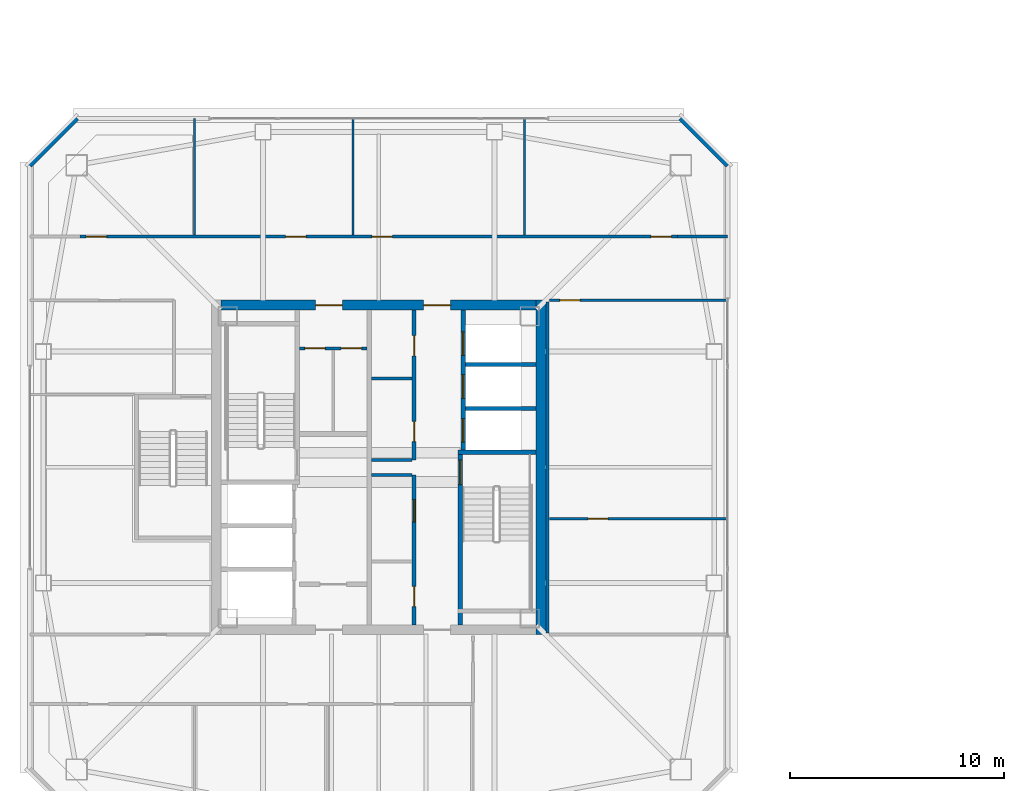
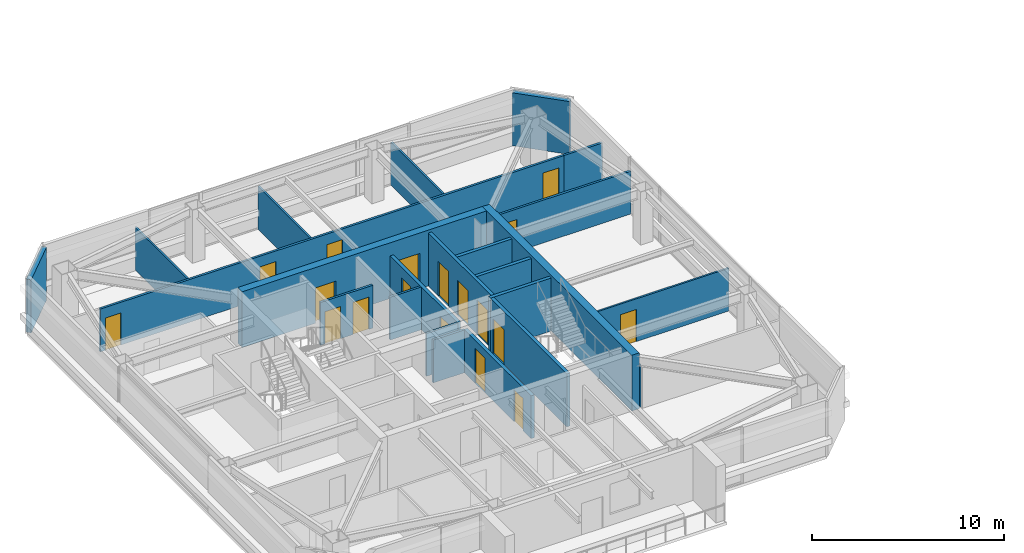
# One storey, part 30 of 39: 23 walls, 18 doors, 18 openings.
"""IFC4 building model written with IfcOpenShell, lengths in metres."""

import ifcopenshell
import ifcopenshell.guid

model = None  # the IFC model being written
_history = None  # IfcOwnerHistory: only IFC2X3 demands one
_inside = {}  # id of a spatial element -> (the spatial element, [elements in it])
_under = {}  # id of a project, library or spatial element -> (it, [spatial elements below it])
_declared = {}  # id of a project -> (the project, [libraries it declares])
_typed = {}  # id of a type object -> (the type object, [elements of that type])
_made_of = {}  # id of a material, layer set ... -> (it, [elements and type objects made of it])


def new_model(schema):
    """Start an empty IFC model of exactly this schema.

    Asked for "IFC4X3", IfcOpenShell would pick the latest addendum, in which some entities
    have other attributes; the version numbers below select the first issue.
    IFC2X3 requires an IfcOwnerHistory on every rooted entity: one is made here for all.
    """
    global model, _history
    if schema == "IFC4X3":
        model = ifcopenshell.file(schema_version=(4, 3, 0, 0))
    else:
        model = ifcopenshell.file(schema=schema)
    _inside.clear()
    _under.clear()
    _declared.clear()
    _typed.clear()
    _made_of.clear()
    _history = None
    if model.schema == "IFC2X3":
        org = make("IfcOrganization", Name="unknown")
        user = make(
            "IfcPersonAndOrganization",
            ThePerson=make("IfcPerson", FamilyName="unknown"),
            TheOrganization=org,
        )
        app = make(
            "IfcApplication",
            ApplicationDeveloper=org,
            Version="unknown",
            ApplicationFullName="unknown",
            ApplicationIdentifier="unknown",
        )
        _history = make(
            "IfcOwnerHistory",
            OwningUser=user,
            OwningApplication=app,
            ChangeAction="ADDED",
            CreationDate=0,
        )
    return model


def make(cls, **values):
    """One entity of the class cls with the attributes given. An attribute that is None is left unset."""
    return model.create_entity(
        cls, **{name: value for name, value in values.items() if value is not None}
    )


def rooted(cls, **values):
    """An entity with a GlobalId (a new one), such as an element, a storey or a relation."""
    return make(cls, GlobalId=ifcopenshell.guid.new(), OwnerHistory=_history, **values)


def si_unit(unit_type, name, prefix=None):
    """IfcSIUnit, for example si_unit("LENGTHUNIT", "METRE", prefix="MILLI")."""
    return make("IfcSIUnit", UnitType=unit_type, Prefix=prefix, Name=name)


def assignment(units):
    """IfcUnitAssignment: the units of a project."""
    return None if units is None else make("IfcUnitAssignment", Units=units)


def point(xyz):
    """IfcCartesianPoint."""
    return None if xyz is None else make("IfcCartesianPoint", Coordinates=xyz)


def direction(xyz):
    """IfcDirection."""
    return None if xyz is None else make("IfcDirection", DirectionRatios=xyz)


def frame(location, z_axis=None, x_axis=None):
    """IfcAxis2Placement3D, a coordinate frame: its origin and axes. An axis left out is left unset."""
    return make(
        "IfcAxis2Placement3D",
        Location=point(location),
        Axis=direction(z_axis),
        RefDirection=direction(x_axis),
    )


def frame_2d(location, x_axis=None):
    """IfcAxis2Placement2D, a coordinate frame in the plane: its origin and x axis."""
    return make(
        "IfcAxis2Placement2D", Location=point(location), RefDirection=direction(x_axis)
    )


def origin():
    """The frame at (0, 0, 0) with its axes left unset."""
    return frame((0.0, 0.0, 0.0))


def place(relative_to, where):
    """IfcLocalPlacement: puts the frame where relative to a parent placement (None: the world)."""
    return make(
        "IfcLocalPlacement", PlacementRelTo=relative_to, RelativePlacement=where
    )


def context(
    kind, dimensions, precision=None, world=None, true_north=None, identifier=None
):
    """IfcGeometricRepresentationContext, for example the 3D "Model" context."""
    return make(
        "IfcGeometricRepresentationContext",
        ContextIdentifier=identifier,
        ContextType=kind,
        CoordinateSpaceDimension=dimensions,
        Precision=precision,
        WorldCoordinateSystem=world,
        TrueNorth=true_north,
    )


def subcontext(parent, identifier, kind, view, scale=None):
    """IfcGeometricRepresentationSubContext, for example "Body" below "Model"."""
    return make(
        "IfcGeometricRepresentationSubContext",
        ContextIdentifier=identifier,
        ContextType=kind,
        ParentContext=parent,
        TargetScale=scale,
        TargetView=view,
    )


def project(units=None, contexts=None):
    """IfcProject with its units and contexts."""
    return rooted(
        "IfcProject",
        Name="project",
        RepresentationContexts=contexts,
        UnitsInContext=assignment(units),
    )


def spatial(cls, under=None, at=None, **own):
    """A site, building, storey or space (cls), placed at a placement, below another one or the project."""
    s = rooted(cls, ObjectPlacement=at, **own)
    if under is not None:
        _under.setdefault(under.id(), (under, []))[1].append(s)
    return s


def profile(cls, at=None, kind="AREA", **sizes):
    """A parametric profile (cls). Its sizes go by their IFC names, for example OverallWidth=200.0."""
    return make(cls, ProfileType=kind, Position=at, **sizes)


def rectangle(**sizes):
    """IfcRectangleProfileDef."""
    return profile("IfcRectangleProfileDef", **sizes)


def extrude(swept, where, along, depth):
    """IfcExtrudedAreaSolid: the profile swept, set in the frame where, extruded along a direction by depth."""
    return make(
        "IfcExtrudedAreaSolid",
        SweptArea=swept,
        Position=where,
        ExtrudedDirection=direction(along),
        Depth=depth,
    )


def shape(context_of_items, identifier, shape_type, items):
    """IfcShapeRepresentation: the items that make up one representation, for example the "Body"."""
    return make(
        "IfcShapeRepresentation",
        ContextOfItems=context_of_items,
        RepresentationIdentifier=identifier,
        RepresentationType=shape_type,
        Items=items,
    )


def material(Name=None, Category=None):
    """IfcMaterial."""
    return make("IfcMaterial", Name=Name, Category=Category)


def layer(
    of_material, thickness, ventilated=None, Name=None, Category=None, Priority=None
):
    """IfcMaterialLayer: one layer of a wall or slab, of a material (None: an air gap)."""
    return make(
        "IfcMaterialLayer",
        Material=of_material,
        LayerThickness=thickness,
        IsVentilated=ventilated,
        Name=Name,
        Category=Category,
        Priority=Priority,
    )


def layer_set(layers, Name=None):
    """IfcMaterialLayerSet."""
    return make("IfcMaterialLayerSet", MaterialLayers=layers, LayerSetName=Name)


def made_of(thing, what):
    """Note that an element or type object is made of a material, layer set ...; save() writes the relation."""
    if what is not None:
        _made_of.setdefault(what.id(), (what, []))[1].append(thing)
    return thing


def type_object(cls, material=None, **own):
    """A type object (cls), such as IfcWallType, which elements share."""
    return made_of(rooted(cls, **own), material)


def element(
    cls,
    number,
    at=None,
    inside=None,
    cuts=None,
    type_object=None,
    material=None,
    context=None,
    identifier="Body",
    shape_type=None,
    held_by="IfcProductDefinitionShape",
    body=None,
    shapes=None,
    **own,
):
    """One element of the class cls, such as IfcWall. Its Tag is "e" and its number.

    at: its placement. inside: the storey or other place that contains it. cuts: it is an
    opening in that element (IfcRelVoidsElement). A single representation is given by context,
    identifier, shape_type and body (its items); several are given by shapes. held_by: the class
    of the entity that holds the representations. save() writes the other relations.
    """
    e = rooted(cls, Tag="e%d" % number, ObjectPlacement=at, **own)
    if body is not None:
        shapes = [shape(context, identifier, shape_type, body)]
    if shapes is not None:
        e.Representation = make(held_by, Representations=shapes)
    if inside is not None:
        _inside.setdefault(inside.id(), (inside, []))[1].append(e)
    if cuts is not None:
        rooted(
            "IfcRelVoidsElement", RelatingBuildingElement=cuts, RelatedOpeningElement=e
        )
    if type_object is not None:
        _typed.setdefault(type_object.id(), (type_object, []))[1].append(e)
    return made_of(e, material)


def fill(opening, filler):
    """IfcRelFillsElement: the door or window that sits in an opening."""
    return rooted(
        "IfcRelFillsElement",
        RelatingOpeningElement=opening,
        RelatedBuildingElement=filler,
    )


def aggregate(whole, parts):
    """IfcRelAggregates: a whole, such as a stair, and the parts it consists of."""
    return rooted("IfcRelAggregates", RelatingObject=whole, RelatedObjects=parts)


def save(model, path):
    """Write the relations noted so far, then the file.

    IfcRelAggregates (storeys below a building ...), IfcRelContainedInSpatialStructure (elements
    in a storey), IfcRelDefinesByType, IfcRelAssociatesMaterial and IfcRelDeclares: one each for
    every whole, place, type object, material and project.
    """
    for whole, parts in _under.values():
        aggregate(whole, parts)
    for where, things in _inside.values():
        rooted(
            "IfcRelContainedInSpatialStructure",
            RelatedElements=things,
            RelatingStructure=where,
        )
    for kind, things in _typed.values():
        rooted("IfcRelDefinesByType", RelatedObjects=things, RelatingType=kind)
    for what, things in _made_of.values():
        rooted("IfcRelAssociatesMaterial", RelatedObjects=things, RelatingMaterial=what)
    for by, libraries in _declared.values():
        rooted("IfcRelDeclares", RelatingContext=by, RelatedDefinitions=libraries)
    model.write(path)


model = new_model("IFC4")

# Units and contexts
model_context = context("Model", 3, precision=1e-05, world=origin(), true_north=direction((0.0, 1.0)))
body_context = subcontext(model_context, "Body", "Model", "MODEL_VIEW")
ifc_project = project(units=[si_unit("LENGTHUNIT", "METRE"), si_unit("AREAUNIT", "SQUARE_METRE"), si_unit("VOLUMEUNIT", "CUBIC_METRE"), si_unit("PLANEANGLEUNIT", "RADIAN"), si_unit("MASSUNIT", "GRAM", prefix="KILO")], contexts=[model_context])

# Site, building, storey
site_placement = place(None, origin())
site = spatial("IfcSite", under=ifc_project, at=site_placement, CompositionType="ELEMENT")
building_placement = place(site_placement, origin())
building = spatial("IfcBuilding", under=site, at=building_placement, Name="Tashvorn Skyway Center", CompositionType="ELEMENT")
storey_placement = place(building_placement, frame((0.0, 0.0, 225.5)))
storey = spatial("IfcBuildingStorey", under=building, at=storey_placement, Name="L61", CompositionType="ELEMENT", Elevation=225.5)

# Wall
ifc_material_1 = material(Name="Concrete C50/60", Category="concrete")
ifc_layer_1 = layer(ifc_material_1, 0.449951171875)
ifc_layer_set_1 = layer_set([ifc_layer_1], Name="Concrete C50/60")
wall_type_1 = type_object("IfcWallType", Name="WALL-CORE-450", PredefinedType="SHEAR", material=ifc_layer_set_1)
wall_1_placement = place(storey_placement, frame((49.574951171875, 39.800048828125, 0.0), z_axis=(0.0, 0.0, 1.0), x_axis=(0.0, -1.0, 0.0)))
element("IfcWall", 1, at=wall_1_placement, inside=storey, type_object=wall_type_1, Name="Tower 1 L61 East Core Shear Wall", PredefinedType="SHEAR", context=body_context, shape_type="SweptSolid", body=[
    extrude(rectangle(XDim=15.60009765625, YDim=0.449951171875, at=frame_2d((7.800048828125, 0.0))), origin(), (0.0, 0.0, 1.0), 3.550048828125),
])

# Wall, openings, doors
wall_2_placement = place(storey_placement, frame((34.64990234375, 39.574951171875, 0.0), z_axis=(0.0, 0.0, 1.0), x_axis=(1.0, 0.0, 0.0)))
wall_2 = element("IfcWall", 2, at=wall_2_placement, inside=storey, type_object=wall_type_1, Name="Tower 1 L61 North Core Shear Wall", PredefinedType="SHEAR", context=body_context, shape_type="SweptSolid", body=[
    extrude(rectangle(XDim=14.7001953125, YDim=0.449951171875, at=frame_2d((7.35009765625, 0.0))), origin(), (0.0, 0.0, 1.0), 3.550048828125),
])
opening_1_placement = place(wall_2_placement, frame((4.39990234375, 0.0, 0.0)))
opening_1 = element("IfcOpeningElement", 3, at=opening_1_placement, cuts=wall_2, Name="Opening D-FFL-1250", PredefinedType="OPENING", context=body_context, shape_type="SweptSolid", body=[
    extrude(rectangle(XDim=1.25, YDim=2.25, at=frame_2d((0.625, 1.125))), frame((0.0, 0.23486328125, 0.0), z_axis=(0.0, -1.0, 0.0), x_axis=(1.0, 0.0, 0.0)), (0.0, 0.0, 1.0), 0.469970703125),
])
opening_2_placement = place(wall_2_placement, frame((9.449951171875, 0.0, 0.0)))
opening_2 = element("IfcOpeningElement", 4, at=opening_2_placement, cuts=wall_2, Name="Opening D-FFL-1250", PredefinedType="OPENING", context=body_context, shape_type="SweptSolid", body=[
    extrude(rectangle(XDim=1.25, YDim=2.25, at=frame_2d((0.625, 1.125))), frame((0.0, 0.23486328125, 0.0), z_axis=(0.0, -1.0, 0.0), x_axis=(1.0, 0.0, 0.0)), (0.0, 0.0, 1.0), 0.469970703125),
])
ifc_material_2 = material(Name="Hollow galvanized steel fire door assembly", Category="steel")
door_type_1 = type_object("IfcDoorType", Name="DOOR-FFL-1250", OperationType="NOTDEFINED", PredefinedType="DOOR", material=ifc_material_2)
door_1_placement = place(opening_1_placement, origin())
door_1 = element("IfcDoor", 5, at=door_1_placement, inside=storey, type_object=door_type_1, Name="Tower 1 L61 Core North Service Lobby Door", OperationType="SINGLE_SWING_LEFT", OverallHeight=2.25, OverallWidth=1.25, PredefinedType="DOOR", context=body_context, shape_type="SweptSolid", body=[
    extrude(rectangle(XDim=1.25, YDim=2.25, at=frame_2d((0.625, 1.125))), frame((0.0, 0.02490234375, 0.0), z_axis=(0.0, -1.0, 0.0), x_axis=(1.0, 0.0, 0.0)), (0.0, 0.0, 1.0), 0.050048828125),
])
fill(opening_1, door_1)
door_2_placement = place(opening_2_placement, origin())
door_2 = element("IfcDoor", 6, at=door_2_placement, inside=storey, type_object=door_type_1, Name="Tower 1 L61 Core North Lift Lobby Door", OperationType="SINGLE_SWING_RIGHT", OverallHeight=2.25, OverallWidth=1.25, PredefinedType="DOOR", context=body_context, shape_type="SweptSolid", body=[
    extrude(rectangle(XDim=1.25, YDim=2.25, at=frame_2d((0.625, 1.125))), frame((0.0, 0.02490234375, 0.0), z_axis=(0.0, -1.0, 0.0), x_axis=(1.0, 0.0, 0.0)), (0.0, 0.0, 1.0), 0.050048828125),
])
fill(opening_2, door_2)

# Walls
ifc_material_3 = material(Name="Precast concrete C40/50", Category="concrete")
ifc_layer_2 = layer(ifc_material_3, 0.280029296875)
ifc_layer_set_2 = layer_set([ifc_layer_2], Name="Precast concrete C40/50")
wall_type_2 = type_object("IfcWallType", Name="WALL-EXT-280", PredefinedType="SOLIDWALL", material=ifc_layer_set_2)
for number, where, z_axis, x_axis, name in (
    (7, (25.699951171875, 46.10009765625, 0.0), (0.0, 0.0, 1.0), (0.707106781187, 0.707106781187, 0.0), "Tower 1 L61 NW Precast Chamfer Wall"),
    (8, (56.10009765625, 48.300048828125, 0.0), (0.0, 0.0, 1.0), (0.707106781187, -0.707106781187, 0.0), "Tower 1 L61 NE Precast Chamfer Wall"),
):
    element("IfcWall", number, at=place(storey_placement, frame(where, z_axis=z_axis, x_axis=x_axis)), inside=storey, type_object=wall_type_2, Name=name, PredefinedType="SOLIDWALL", context=body_context, shape_type="SweptSolid", body=[
        extrude(rectangle(XDim=3.111083984375, YDim=0.280029296875, at=frame_2d((1.5556640625, 0.0))), origin(), (0.0, 0.0, 1.0), 3.3701171875),
    ])
ifc_material_4 = material(Name="Gypsum board on cold-formed steel stud framing", Category="steel")
ifc_layer_3 = layer(ifc_material_4, 0.110107421875)
ifc_layer_set_3 = layer_set([ifc_layer_3], Name="Gypsum board on cold-formed steel stud framing")
wall_type_3 = type_object("IfcWallType", Name="WALL-PART-110", PredefinedType="PARTITIONING", material=ifc_layer_set_3)
for number, where, z_axis, x_axis, name in (
    (9, (33.39990234375, 42.85009765625, 0.0), (0.0, 0.0, 1.0), (0.0, 1.0, 0.0), "Tower 1 L61 North Suite Partition 1"),
    (10, (40.800048828125, 42.85009765625, 0.0), (0.0, 0.0, 1.0), (0.0, 1.0, 0.0), "Tower 1 L61 North Suite Partition 2"),
    (11, (48.800048828125, 42.85009765625, 0.0), (0.0, 0.0, 1.0), (0.0, 1.0, 0.0), "Tower 1 L61 North Suite Partition 3"),
):
    element("IfcWall", number, at=place(storey_placement, frame(where, z_axis=z_axis, x_axis=x_axis)), inside=storey, type_object=wall_type_3, Name=name, PredefinedType="PARTITIONING", context=body_context, shape_type="SweptSolid", body=[
        extrude(rectangle(XDim=5.429931640625, YDim=0.110107421875, at=frame_2d((2.71484375, 0.0))), origin(), (0.0, 0.0, 1.0), 2.722900390625),
    ])

# Wall, opening, door
wall_3_placement = place(storey_placement, frame((49.9599609375, 29.60009765625, 0.0), z_axis=(0.0, 0.0, 1.0), x_axis=(1.0, 0.0, 0.0)))
wall_3 = element("IfcWall", 12, at=wall_3_placement, inside=storey, type_object=wall_type_3, Name="Tower 1 L61 East Mid Partition", PredefinedType="PARTITIONING", context=body_context, shape_type="SweptSolid", body=[
    extrude(rectangle(XDim=8.320068359375, YDim=0.110107421875, at=frame_2d((4.16015625, 0.0))), origin(), (0.0, 0.0, 1.0), 2.722900390625),
])
opening_3_placement = place(wall_3_placement, frame((1.800048828125, 0.0, 0.0)))
opening_3 = element("IfcOpeningElement", 13, at=opening_3_placement, cuts=wall_3, Name="Opening D-INT-950", PredefinedType="OPENING", context=body_context, shape_type="SweptSolid", body=[
    extrude(rectangle(XDim=0.949951171875, YDim=2.050048828125, at=frame_2d((0.47509765625, 1.02490234375))), frame((0.0, 0.06494140625, 0.0), z_axis=(0.0, -1.0, 0.0), x_axis=(1.0, 0.0, 0.0)), (0.0, 0.0, 1.0), 0.130126953125),
])
ifc_material_5 = material(Name="Solid-core architectural oak veneer door")
door_type_2 = type_object("IfcDoorType", Name="DOOR-INT-950", OperationType="NOTDEFINED", PredefinedType="DOOR", material=ifc_material_5)
door_3_placement = place(opening_3_placement, origin())
door_3 = element("IfcDoor", 14, at=door_3_placement, inside=storey, type_object=door_type_2, Name="Tower 1 L61 Catering Pantry Door", OperationType="SINGLE_SWING_LEFT", OverallHeight=2.050048828125, OverallWidth=0.949951171875, PredefinedType="DOOR", context=body_context, shape_type="SweptSolid", body=[
    extrude(rectangle(XDim=0.949951171875, YDim=2.050048828125, at=frame_2d((0.47509765625, 1.02490234375))), frame((0.0, 0.02490234375, 0.0), z_axis=(0.0, -1.0, 0.0), x_axis=(1.0, 0.0, 0.0)), (0.0, 0.0, 1.0), 0.050048828125),
])
fill(opening_3, door_3)

# Wall, openings, doors
ifc_layer_4 = layer(ifc_material_4, 0.135009765625)
ifc_layer_set_4 = layer_set([ifc_layer_4], Name="Gypsum board on cold-formed steel stud framing")
wall_type_4 = type_object("IfcWallType", Name="WALL-PART-135", PredefinedType="PARTITIONING", material=ifc_layer_set_4)
wall_4_placement = place(storey_placement, frame((28.050048828125, 42.77001953125, 0.0), z_axis=(0.0, 0.0, 1.0), x_axis=(1.0, 0.0, 0.0)))
wall_4 = element("IfcWall", 15, at=wall_4_placement, inside=storey, type_object=wall_type_4, Name="Tower 1 L61 North Suite Wall", PredefinedType="PARTITIONING", context=body_context, shape_type="SweptSolid", body=[
    extrude(rectangle(XDim=27.89990234375, YDim=0.135009765625, at=frame_2d((13.949951171875, 0.0))), origin(), (0.0, 0.0, 1.0), 2.722900390625),
])
opening_4_placement = place(wall_4_placement, frame((0.300048828125, 0.0, 0.0)))
opening_4 = element("IfcOpeningElement", 16, at=opening_4_placement, cuts=wall_4, Name="Opening D-INT-950", PredefinedType="OPENING", context=body_context, shape_type="SweptSolid", body=[
    extrude(rectangle(XDim=0.949951171875, YDim=2.050048828125, at=frame_2d((0.47509765625, 1.02490234375))), frame((0.0, 0.077392578125, 0.0), z_axis=(0.0, -1.0, 0.0), x_axis=(1.0, 0.0, 0.0)), (0.0, 0.0, 1.0), 0.155029296875),
])
opening_5_placement = place(wall_4_placement, frame((9.609619140625, 0.0, 0.0)))
opening_5 = element("IfcOpeningElement", 17, at=opening_5_placement, cuts=wall_4, Name="Opening D-INT-950", PredefinedType="OPENING", context=body_context, shape_type="SweptSolid", body=[
    extrude(rectangle(XDim=0.949951171875, YDim=2.050048828125, at=frame_2d((0.47509765625, 1.02490234375))), frame((0.0, 0.077392578125, 0.0), z_axis=(0.0, -1.0, 0.0), x_axis=(1.0, 0.0, 0.0)), (0.0, 0.0, 1.0), 0.155029296875),
])
opening_6_placement = place(wall_4_placement, frame((13.63330078125, 0.0, 0.0)))
opening_6 = element("IfcOpeningElement", 18, at=opening_6_placement, cuts=wall_4, Name="Opening D-INT-950", PredefinedType="OPENING", context=body_context, shape_type="SweptSolid", body=[
    extrude(rectangle(XDim=0.949951171875, YDim=2.050048828125, at=frame_2d((0.47509765625, 1.02490234375))), frame((0.0, 0.077392578125, 0.0), z_axis=(0.0, -1.0, 0.0), x_axis=(1.0, 0.0, 0.0)), (0.0, 0.0, 1.0), 0.155029296875),
])
opening_7_placement = place(wall_4_placement, frame((26.64990234375, 0.0, 0.0)))
opening_7 = element("IfcOpeningElement", 19, at=opening_7_placement, cuts=wall_4, Name="Opening D-INT-950", PredefinedType="OPENING", context=body_context, shape_type="SweptSolid", body=[
    extrude(rectangle(XDim=0.949951171875, YDim=2.050048828125, at=frame_2d((0.47509765625, 1.02490234375))), frame((0.0, 0.077392578125, 0.0), z_axis=(0.0, -1.0, 0.0), x_axis=(1.0, 0.0, 0.0)), (0.0, 0.0, 1.0), 0.155029296875),
])
door_4_placement = place(opening_4_placement, origin())
door_4 = element("IfcDoor", 20, at=door_4_placement, inside=storey, type_object=door_type_2, Name="Tower 1 L61 Conference Room Door", OperationType="SINGLE_SWING_RIGHT", OverallHeight=2.050048828125, OverallWidth=0.949951171875, PredefinedType="DOOR", context=body_context, shape_type="SweptSolid", body=[
    extrude(rectangle(XDim=0.949951171875, YDim=2.050048828125, at=frame_2d((0.47509765625, 1.02490234375))), frame((0.0, 0.02490234375, 0.0), z_axis=(0.0, -1.0, 0.0), x_axis=(1.0, 0.0, 0.0)), (0.0, 0.0, 1.0), 0.050048828125),
])
fill(opening_4, door_4)
door_5_placement = place(opening_5_placement, origin())
door_5 = element("IfcDoor", 21, at=door_5_placement, inside=storey, type_object=door_type_2, Name="Tower 1 L61 Conference Room Door", OperationType="SINGLE_SWING_LEFT", OverallHeight=2.050048828125, OverallWidth=0.949951171875, PredefinedType="DOOR", context=body_context, shape_type="SweptSolid", body=[
    extrude(rectangle(XDim=0.949951171875, YDim=2.050048828125, at=frame_2d((0.47509765625, 1.02490234375))), frame((0.0, 0.02490234375, 0.0), z_axis=(0.0, -1.0, 0.0), x_axis=(1.0, 0.0, 0.0)), (0.0, 0.0, 1.0), 0.050048828125),
])
fill(opening_5, door_5)
door_6_placement = place(opening_6_placement, origin())
door_6 = element("IfcDoor", 22, at=door_6_placement, inside=storey, type_object=door_type_2, Name="Tower 1 L61 Staff Fitness Club Door", OperationType="SINGLE_SWING_RIGHT", OverallHeight=2.050048828125, OverallWidth=0.949951171875, PredefinedType="DOOR", context=body_context, shape_type="SweptSolid", body=[
    extrude(rectangle(XDim=0.949951171875, YDim=2.050048828125, at=frame_2d((0.47509765625, 1.02490234375))), frame((0.0, 0.02490234375, 0.0), z_axis=(0.0, -1.0, 0.0), x_axis=(1.0, 0.0, 0.0)), (0.0, 0.0, 1.0), 0.050048828125),
])
fill(opening_6, door_6)
door_7_placement = place(opening_7_placement, origin())
door_7 = element("IfcDoor", 23, at=door_7_placement, inside=storey, type_object=door_type_2, Name="Tower 1 L61 Gallery Showroom Door", OperationType="SINGLE_SWING_LEFT", OverallHeight=2.050048828125, OverallWidth=0.949951171875, PredefinedType="DOOR", context=body_context, shape_type="SweptSolid", body=[
    extrude(rectangle(XDim=0.949951171875, YDim=2.050048828125, at=frame_2d((0.47509765625, 1.02490234375))), frame((0.0, 0.02490234375, 0.0), z_axis=(0.0, -1.0, 0.0), x_axis=(1.0, 0.0, 0.0)), (0.0, 0.0, 1.0), 0.050048828125),
])
fill(opening_7, door_7)

# Walls
wall_5_placement = place(storey_placement, frame((55.949951171875, 42.77001953125, 0.0), z_axis=(0.0, 0.0, 1.0), x_axis=(1.0, 0.0, 0.0)))
element("IfcWall", 24, at=wall_5_placement, inside=storey, type_object=wall_type_4, Name="Tower 1 L61 North-East Suite South Wall", PredefinedType="PARTITIONING", context=body_context, shape_type="SweptSolid", body=[
    extrude(rectangle(XDim=2.330078125, YDim=0.135009765625, at=frame_2d((1.1650390625, 0.0))), origin(), (0.0, 0.0, 1.0), 2.722900390625),
])
wall_6_placement = place(storey_placement, frame((49.8798828125, 39.719970703125, 0.0), z_axis=(0.0, 0.0, 1.0), x_axis=(0.0, -1.0, 0.0)))
element("IfcWall", 25, at=wall_6_placement, inside=storey, type_object=wall_type_4, Name="Tower 1 L61 East Inner Suite Wall", PredefinedType="PARTITIONING", context=body_context, shape_type="SweptSolid", body=[
    extrude(rectangle(XDim=15.43994140625, YDim=0.135009765625, at=frame_2d((7.719970703125, 0.0))), origin(), (0.0, 0.0, 1.0), 2.722900390625),
])

# Wall, opening, door
wall_7_placement = place(storey_placement, frame((58.280029296875, 39.800048828125, 0.0), z_axis=(0.0, 0.0, 1.0), x_axis=(-1.0, 0.0, 0.0)))
wall_7 = element("IfcWall", 26, at=wall_7_placement, inside=storey, type_object=wall_type_4, Name="Tower 1 L61 East Suite North Wall", PredefinedType="PARTITIONING", context=body_context, shape_type="SweptSolid", body=[
    extrude(rectangle(XDim=8.320068359375, YDim=0.135009765625, at=frame_2d((4.16015625, 0.0))), origin(), (0.0, 0.0, 1.0), 2.722900390625),
])
opening_8_placement = place(wall_7_placement, frame((6.8798828125, 0.0, 0.0)))
opening_8 = element("IfcOpeningElement", 27, at=opening_8_placement, cuts=wall_7, Name="Opening D-INT-950", PredefinedType="OPENING", context=body_context, shape_type="SweptSolid", body=[
    extrude(rectangle(XDim=0.949951171875, YDim=2.050048828125, at=frame_2d((0.47509765625, 1.02490234375))), frame((0.0, 0.077392578125, 0.0), z_axis=(0.0, -1.0, 0.0), x_axis=(1.0, 0.0, 0.0)), (0.0, 0.0, 1.0), 0.155029296875),
])
door_8_placement = place(opening_8_placement, origin())
door_8 = element("IfcDoor", 28, at=door_8_placement, inside=storey, type_object=door_type_2, Name="Tower 1 L61 Gallery Showroom Door", OperationType="SINGLE_SWING_RIGHT", OverallHeight=2.050048828125, OverallWidth=0.949951171875, PredefinedType="DOOR", context=body_context, shape_type="SweptSolid", body=[
    extrude(rectangle(XDim=0.949951171875, YDim=2.050048828125, at=frame_2d((0.47509765625, 1.02490234375))), frame((0.0, 0.02490234375, 0.0), z_axis=(0.0, -1.0, 0.0), x_axis=(1.0, 0.0, 0.0)), (0.0, 0.0, 1.0), 0.050048828125),
])
fill(opening_8, door_8)

# Wall, openings, doors
ifc_layer_5 = layer(ifc_material_4, 0.135009765625)
ifc_layer_set_5 = layer_set([ifc_layer_5], Name="Gypsum board on cold-formed steel stud framing")
wall_type_5 = type_object("IfcWallType", Name="WALL-RATED-135", PredefinedType="PARTITIONING", material=ifc_layer_set_5)
wall_8_placement = place(storey_placement, frame((38.300048828125, 37.550048828125, 0.0), z_axis=(0.0, 0.0, 1.0), x_axis=(1.0, 0.0, 0.0)))
wall_8 = element("IfcWall", 29, at=wall_8_placement, inside=storey, type_object=wall_type_5, Name="Tower 1 L61 Core Service Lobby Wall", PredefinedType="PARTITIONING", context=body_context, shape_type="SweptSolid", body=[
    extrude(rectangle(XDim=3.14990234375, YDim=0.135009765625, at=frame_2d((1.574951171875, 0.0))), origin(), (0.0, 0.0, 1.0), 2.722900390625),
])
opening_9_placement = place(wall_8_placement, frame((0.25, 0.0, 0.0)))
opening_9 = element("IfcOpeningElement", 30, at=opening_9_placement, cuts=wall_8, Name="Opening D-RT-950", PredefinedType="OPENING", context=body_context, shape_type="SweptSolid", body=[
    extrude(rectangle(XDim=0.949951171875, YDim=2.050048828125, at=frame_2d((0.47509765625, 1.02490234375))), frame((0.0, 0.077392578125, 0.0), z_axis=(0.0, -1.0, 0.0), x_axis=(1.0, 0.0, 0.0)), (0.0, 0.0, 1.0), 0.155029296875),
])
opening_10_placement = place(wall_8_placement, frame((1.949951171875, 0.0, 0.0)))
opening_10 = element("IfcOpeningElement", 31, at=opening_10_placement, cuts=wall_8, Name="Opening D-RT-950", PredefinedType="OPENING", context=body_context, shape_type="SweptSolid", body=[
    extrude(rectangle(XDim=0.949951171875, YDim=2.050048828125, at=frame_2d((0.47509765625, 1.02490234375))), frame((0.0, 0.077392578125, 0.0), z_axis=(0.0, -1.0, 0.0), x_axis=(1.0, 0.0, 0.0)), (0.0, 0.0, 1.0), 0.155029296875),
])
door_type_3 = type_object("IfcDoorType", Name="DOOR-RATED-950", OperationType="NOTDEFINED", PredefinedType="DOOR", material=ifc_material_2)
door_9_placement = place(opening_9_placement, origin())
door_9 = element("IfcDoor", 32, at=door_9_placement, inside=storey, type_object=door_type_3, Name="Tower 1 L61 Core Accessible WC Door", OperationType="SINGLE_SWING_LEFT", OverallHeight=2.050048828125, OverallWidth=0.949951171875, PredefinedType="DOOR", context=body_context, shape_type="SweptSolid", body=[
    extrude(rectangle(XDim=0.949951171875, YDim=2.050048828125, at=frame_2d((0.47509765625, 1.02490234375))), frame((0.0, 0.02490234375, 0.0), z_axis=(0.0, -1.0, 0.0), x_axis=(1.0, 0.0, 0.0)), (0.0, 0.0, 1.0), 0.050048828125),
])
fill(opening_9, door_9)
door_10_placement = place(opening_10_placement, origin())
door_10 = element("IfcDoor", 33, at=door_10_placement, inside=storey, type_object=door_type_3, Name="Tower 1 L61 Core Cleaner Store Door", OperationType="SINGLE_SWING_RIGHT", OverallHeight=2.050048828125, OverallWidth=0.949951171875, PredefinedType="DOOR", context=body_context, shape_type="SweptSolid", body=[
    extrude(rectangle(XDim=0.949951171875, YDim=2.050048828125, at=frame_2d((0.47509765625, 1.02490234375))), frame((0.0, 0.02490234375, 0.0), z_axis=(0.0, -1.0, 0.0), x_axis=(1.0, 0.0, 0.0)), (0.0, 0.0, 1.0), 0.050048828125),
])
fill(opening_10, door_10)

# Walls
for number, where, z_axis, x_axis, name in (
    (34, (41.669921875, 31.64990234375, 0.0), (0.0, 0.0, 1.0), (1.0, 0.0, 0.0), "Tower 1 L61 Core Room Partition"),
    (35, (41.669921875, 32.35009765625, 0.0), (0.0, 0.0, 1.0), (1.0, 0.0, 0.0), "Tower 1 L61 Core Room Partition"),
    (36, (41.669921875, 36.14990234375, 0.0), (0.0, 0.0, 1.0), (1.0, 0.0, 0.0), "Tower 1 L61 Freed Mid-Rise Partition"),
):
    element("IfcWall", number, at=place(storey_placement, frame(where, z_axis=z_axis, x_axis=x_axis)), inside=storey, type_object=wall_type_5, Name=name, PredefinedType="PARTITIONING", context=body_context, shape_type="SweptSolid", body=[
        extrude(rectangle(XDim=1.880126953125, YDim=0.135009765625, at=frame_2d((0.93994140625, 0.0))), origin(), (0.0, 0.0, 1.0), 2.722900390625),
    ])
ifc_material_6 = material(Name="Concrete C40/50", Category="concrete")
ifc_layer_6 = layer(ifc_material_6, 0.199951171875)
ifc_layer_set_6 = layer_set([ifc_layer_6], Name="Concrete C40/50")
wall_type_6 = type_object("IfcWallType", Name="WALL-SHAFT-200", PredefinedType="SOLIDWALL", material=ifc_layer_set_6)
for number, where, z_axis, x_axis, name in (
    (37, (46.050048828125, 34.75, 0.0), (0.0, 0.0, 1.0), (1.0, 0.0, 0.0), "Tower 1 L61 High-Rise Shaft Divider"),
    (38, (46.050048828125, 36.800048828125, 0.0), (0.0, 0.0, 1.0), (1.0, 0.0, 0.0), "Tower 1 L61 High-Rise Shaft Divider"),
):
    element("IfcWall", number, at=place(storey_placement, frame(where, z_axis=z_axis, x_axis=x_axis)), inside=storey, type_object=wall_type_6, Name=name, PredefinedType="SOLIDWALL", context=body_context, shape_type="SweptSolid", body=[
        extrude(rectangle(XDim=3.300048828125, YDim=0.199951171875, at=frame_2d((1.64990234375, 0.0))), origin(), (0.0, 0.0, 1.0), 3.3701171875),
    ])

# Wall, openings, doors
wall_9_placement = place(storey_placement, frame((43.64990234375, 24.64990234375, 0.0), z_axis=(0.0, 0.0, 1.0), x_axis=(0.0, 1.0, 0.0)))
wall_9 = element("IfcWall", 39, at=wall_9_placement, inside=storey, type_object=wall_type_6, Name="Tower 1 L61 Low-Rise Core Wall", PredefinedType="SOLIDWALL", context=body_context, shape_type="SweptSolid", body=[
    extrude(rectangle(XDim=7.0, YDim=0.199951171875, at=frame_2d((3.5, 0.0))), origin(), (0.0, 0.0, 1.0), 2.722900390625),
])
opening_11_placement = place(wall_9_placement, frame((0.85009765625, 0.0, 0.0)))
opening_11 = element("IfcOpeningElement", 40, at=opening_11_placement, cuts=wall_9, Name="Opening D-RT-950", PredefinedType="OPENING", context=body_context, shape_type="SweptSolid", body=[
    extrude(rectangle(XDim=0.949951171875, YDim=2.050048828125, at=frame_2d((0.47509765625, 1.02490234375))), frame((0.0, 0.10986328125, 0.0), z_axis=(0.0, -1.0, 0.0), x_axis=(1.0, 0.0, 0.0)), (0.0, 0.0, 1.0), 0.219970703125),
])
opening_12_placement = place(wall_9_placement, frame((4.800048828125, 0.0, 0.0)))
opening_12 = element("IfcOpeningElement", 41, at=opening_12_placement, cuts=wall_9, Name="Opening D-RT-1050", PredefinedType="OPENING", context=body_context, shape_type="SweptSolid", body=[
    extrude(rectangle(XDim=1.050048828125, YDim=2.199951171875, at=frame_2d((0.52490234375, 1.10009765625))), frame((0.0, 0.10986328125, 0.0), z_axis=(0.0, -1.0, 0.0), x_axis=(1.0, 0.0, 0.0)), (0.0, 0.0, 1.0), 0.219970703125),
])
door_type_4 = type_object("IfcDoorType", Name="DOOR-RATED-1050", OperationType="NOTDEFINED", PredefinedType="DOOR", material=ifc_material_2)
door_11_placement = place(opening_12_placement, origin())
door_11 = element("IfcDoor", 42, at=door_11_placement, inside=storey, type_object=door_type_4, Name="Tower 1 L61 Freed Core Room Door", OperationType="SINGLE_SWING_RIGHT", OverallHeight=2.199951171875, OverallWidth=1.050048828125, PredefinedType="DOOR", context=body_context, shape_type="SweptSolid", body=[
    extrude(rectangle(XDim=1.050048828125, YDim=2.199951171875, at=frame_2d((0.52490234375, 1.10009765625))), frame((0.0, 0.02490234375, 0.0), z_axis=(0.0, -1.0, 0.0), x_axis=(1.0, 0.0, 0.0)), (0.0, 0.0, 1.0), 0.050048828125),
])
fill(opening_12, door_11)
door_12_placement = place(opening_11_placement, origin())
door_12 = element("IfcDoor", 43, at=door_12_placement, inside=storey, type_object=door_type_3, Name="Tower 1 L61 Core Print Room Door", OperationType="SINGLE_SWING_LEFT", OverallHeight=2.050048828125, OverallWidth=0.949951171875, PredefinedType="DOOR", context=body_context, shape_type="SweptSolid", body=[
    extrude(rectangle(XDim=0.949951171875, YDim=2.050048828125, at=frame_2d((0.47509765625, 1.02490234375))), frame((0.0, 0.02490234375, 0.0), z_axis=(0.0, -1.0, 0.0), x_axis=(1.0, 0.0, 0.0)), (0.0, 0.0, 1.0), 0.050048828125),
])
fill(opening_11, door_12)

wall_10_placement = place(storey_placement, frame((43.64990234375, 32.35009765625, 0.0), z_axis=(0.0, 0.0, 1.0), x_axis=(0.0, 1.0, 0.0)))
wall_10 = element("IfcWall", 44, at=wall_10_placement, inside=storey, type_object=wall_type_6, Name="Tower 1 L61 Mid-Rise Core Wall", PredefinedType="SOLIDWALL", context=body_context, shape_type="SweptSolid", body=[
    extrude(rectangle(XDim=7.0, YDim=0.199951171875, at=frame_2d((3.5, 0.0))), origin(), (0.0, 0.0, 1.0), 2.722900390625),
])
opening_13_placement = place(wall_10_placement, frame((0.85009765625, 0.0, 0.0)))
opening_13 = element("IfcOpeningElement", 45, at=opening_13_placement, cuts=wall_10, Name="Opening D-RT-950", PredefinedType="OPENING", context=body_context, shape_type="SweptSolid", body=[
    extrude(rectangle(XDim=0.949951171875, YDim=2.050048828125, at=frame_2d((0.47509765625, 1.02490234375))), frame((0.0, 0.10986328125, 0.0), z_axis=(0.0, -1.0, 0.0), x_axis=(1.0, 0.0, 0.0)), (0.0, 0.0, 1.0), 0.219970703125),
])
opening_14_placement = place(wall_10_placement, frame((4.85009765625, 0.0, 0.0)))
opening_14 = element("IfcOpeningElement", 46, at=opening_14_placement, cuts=wall_10, Name="Opening D-RT-950", PredefinedType="OPENING", context=body_context, shape_type="SweptSolid", body=[
    extrude(rectangle(XDim=0.949951171875, YDim=2.050048828125, at=frame_2d((0.47509765625, 1.02490234375))), frame((0.0, 0.10986328125, 0.0), z_axis=(0.0, -1.0, 0.0), x_axis=(1.0, 0.0, 0.0)), (0.0, 0.0, 1.0), 0.219970703125),
])
door_13_placement = place(opening_13_placement, origin())
door_13 = element("IfcDoor", 47, at=door_13_placement, inside=storey, type_object=door_type_3, Name="Tower 1 L61 Core IT Room Door", OperationType="SINGLE_SWING_RIGHT", OverallHeight=2.050048828125, OverallWidth=0.949951171875, PredefinedType="DOOR", context=body_context, shape_type="SweptSolid", body=[
    extrude(rectangle(XDim=0.949951171875, YDim=2.050048828125, at=frame_2d((0.47509765625, 1.02490234375))), frame((0.0, 0.02490234375, 0.0), z_axis=(0.0, -1.0, 0.0), x_axis=(1.0, 0.0, 0.0)), (0.0, 0.0, 1.0), 0.050048828125),
])
fill(opening_13, door_13)
door_14_placement = place(opening_14_placement, origin())
door_14 = element("IfcDoor", 48, at=door_14_placement, inside=storey, type_object=door_type_3, Name="Tower 1 L61 Core Catering Pantry Door", OperationType="SINGLE_SWING_LEFT", OverallHeight=2.050048828125, OverallWidth=0.949951171875, PredefinedType="DOOR", context=body_context, shape_type="SweptSolid", body=[
    extrude(rectangle(XDim=0.949951171875, YDim=2.050048828125, at=frame_2d((0.47509765625, 1.02490234375))), frame((0.0, 0.02490234375, 0.0), z_axis=(0.0, -1.0, 0.0), x_axis=(1.0, 0.0, 0.0)), (0.0, 0.0, 1.0), 0.050048828125),
])
fill(opening_14, door_14)

# Wall, opening, door
ifc_layer_7 = layer(ifc_material_6, 0.199951171875)
ifc_layer_set_7 = layer_set([ifc_layer_7], Name="Concrete C40/50")
wall_type_7 = type_object("IfcWallType", Name="WALL-STSHF-200", PredefinedType="SHEAR", material=ifc_layer_set_7)
wall_11_placement = place(storey_placement, frame((45.800048828125, 32.800048828125, 0.0), z_axis=(0.0, 0.0, 1.0), x_axis=(0.0, -1.0, 0.0)))
wall_11 = element("IfcWall", 49, at=wall_11_placement, inside=storey, type_object=wall_type_7, Name="Tower 1 L61 Stair 2 Enclosure Wall", PredefinedType="SHEAR", context=body_context, shape_type="SweptSolid", body=[
    extrude(rectangle(XDim=8.150146484375, YDim=0.199951171875, at=frame_2d((4.0751953125, 0.0))), origin(), (0.0, 0.0, 1.0), 3.3701171875),
])
opening_15_placement = place(wall_11_placement, frame((0.449951171875, 0.0, 0.0)))
opening_15 = element("IfcOpeningElement", 50, at=opening_15_placement, cuts=wall_11, Name="Opening D-ST-1150", PredefinedType="OPENING", context=body_context, shape_type="SweptSolid", body=[
    extrude(rectangle(XDim=1.14990234375, YDim=2.199951171875, at=frame_2d((0.574951171875, 1.10009765625))), frame((0.0, 0.10986328125, 0.0), z_axis=(0.0, -1.0, 0.0), x_axis=(1.0, 0.0, 0.0)), (0.0, 0.0, 1.0), 0.219970703125),
])
door_type_5 = type_object("IfcDoorType", Name="DOOR-STAIR-1150", OperationType="NOTDEFINED", PredefinedType="DOOR", material=ifc_material_2)
door_15_placement = place(opening_15_placement, origin())
door_15 = element("IfcDoor", 51, at=door_15_placement, inside=storey, type_object=door_type_5, Name="Tower 1 L61 Exit Stair 2 Door", OperationType="SINGLE_SWING_RIGHT", OverallHeight=2.199951171875, OverallWidth=1.14990234375, PredefinedType="DOOR", context=body_context, shape_type="SweptSolid", body=[
    extrude(rectangle(XDim=1.14990234375, YDim=2.199951171875, at=frame_2d((0.574951171875, 1.10009765625))), frame((0.0, 0.02490234375, 0.0), z_axis=(0.0, -1.0, 0.0), x_axis=(1.0, 0.0, 0.0)), (0.0, 0.0, 1.0), 0.050048828125),
])
fill(opening_15, door_15)

# Wall
wall_12_placement = place(storey_placement, frame((45.699951171875, 32.699951171875, 0.0), z_axis=(0.0, 0.0, 1.0), x_axis=(1.0, 0.0, 0.0)))
element("IfcWall", 52, at=wall_12_placement, inside=storey, type_object=wall_type_7, Name="Tower 1 L61 Stair 2 North Wall", PredefinedType="SHEAR", context=body_context, shape_type="SweptSolid", body=[
    extrude(rectangle(XDim=3.650146484375, YDim=0.199951171875, at=frame_2d((1.8251953125, 0.0))), origin(), (0.0, 0.0, 1.0), 3.3701171875),
])

# Wall, openings, doors
wall_13_placement = place(storey_placement, frame((45.949951171875, 39.35009765625, 0.0), z_axis=(0.0, 0.0, 1.0), x_axis=(0.0, -1.0, 0.0)))
wall_13 = element("IfcWall", 53, at=wall_13_placement, inside=storey, type_object=wall_type_7, Name="Tower 1 L61 High-Rise Lift Shaft Front Wall", PredefinedType="SHEAR", context=body_context, shape_type="SweptSolid", body=[
    extrude(rectangle(XDim=6.550048828125, YDim=0.199951171875, at=frame_2d((3.27490234375, 0.0))), origin(), (0.0, 0.0, 1.0), 3.3701171875),
])
opening_16_placement = place(wall_13_placement, frame((5.074951171875, 0.0, 0.0)))
opening_16 = element("IfcOpeningElement", 54, at=opening_16_placement, cuts=wall_13, Name="Opening LD-HR-T1-1-L61", PredefinedType="OPENING", context=body_context, shape_type="SweptSolid", body=[
    extrude(rectangle(XDim=1.10009765625, YDim=2.199951171875, at=frame_2d((0.550048828125, 1.10009765625))), frame((0.0, 0.10986328125, 0.0), z_axis=(0.0, -1.0, 0.0), x_axis=(1.0, 0.0, 0.0)), (0.0, 0.0, 1.0), 0.219970703125),
])
opening_17_placement = place(wall_13_placement, frame((3.02490234375, 0.0, 0.0)))
opening_17 = element("IfcOpeningElement", 55, at=opening_17_placement, cuts=wall_13, Name="Opening LD-HR-T1-2-L61", PredefinedType="OPENING", context=body_context, shape_type="SweptSolid", body=[
    extrude(rectangle(XDim=1.10009765625, YDim=2.199951171875, at=frame_2d((0.550048828125, 1.10009765625))), frame((0.0, 0.10986328125, 0.0), z_axis=(0.0, -1.0, 0.0), x_axis=(1.0, 0.0, 0.0)), (0.0, 0.0, 1.0), 0.219970703125),
])
opening_18_placement = place(wall_13_placement, frame((1.02490234375, 0.0, 0.0)))
opening_18 = element("IfcOpeningElement", 56, at=opening_18_placement, cuts=wall_13, Name="Opening LD-HR-T1-3-L61", PredefinedType="OPENING", context=body_context, shape_type="SweptSolid", body=[
    extrude(rectangle(XDim=1.10009765625, YDim=2.199951171875, at=frame_2d((0.550048828125, 1.10009765625))), frame((0.0, 0.10986328125, 0.0), z_axis=(0.0, -1.0, 0.0), x_axis=(1.0, 0.0, 0.0)), (0.0, 0.0, 1.0), 0.219970703125),
])
ifc_material_7 = material(Name="Stainless steel landing door", Category="steel")
door_type_6 = type_object("IfcDoorType", Name="DOOR-LIFT-1100", OperationType="SLIDING_TO_LEFT", PredefinedType="DOOR", material=ifc_material_7)
door_16_placement = place(opening_16_placement, origin())
door_16 = element("IfcDoor", 57, at=door_16_placement, inside=storey, type_object=door_type_6, Name="Lift HR-T1-1 L61 Landing Door", OperationType="SLIDING_TO_LEFT", OverallHeight=2.199951171875, OverallWidth=1.10009765625, PredefinedType="DOOR", context=body_context, shape_type="SweptSolid", body=[
    extrude(rectangle(XDim=1.10009765625, YDim=2.199951171875, at=frame_2d((0.550048828125, 1.10009765625))), frame((0.0, 0.02490234375, 0.0), z_axis=(0.0, -1.0, 0.0), x_axis=(1.0, 0.0, 0.0)), (0.0, 0.0, 1.0), 0.050048828125),
])
fill(opening_16, door_16)
door_17_placement = place(opening_17_placement, origin())
door_17 = element("IfcDoor", 58, at=door_17_placement, inside=storey, type_object=door_type_6, Name="Lift HR-T1-2 L61 Landing Door", OperationType="SLIDING_TO_LEFT", OverallHeight=2.199951171875, OverallWidth=1.10009765625, PredefinedType="DOOR", context=body_context, shape_type="SweptSolid", body=[
    extrude(rectangle(XDim=1.10009765625, YDim=2.199951171875, at=frame_2d((0.550048828125, 1.10009765625))), frame((0.0, 0.02490234375, 0.0), z_axis=(0.0, -1.0, 0.0), x_axis=(1.0, 0.0, 0.0)), (0.0, 0.0, 1.0), 0.050048828125),
])
fill(opening_17, door_17)
door_18_placement = place(opening_18_placement, origin())
door_18 = element("IfcDoor", 59, at=door_18_placement, inside=storey, type_object=door_type_6, Name="Lift HR-T1-3 L61 Landing Door", OperationType="SLIDING_TO_LEFT", OverallHeight=2.199951171875, OverallWidth=1.10009765625, PredefinedType="DOOR", context=body_context, shape_type="SweptSolid", body=[
    extrude(rectangle(XDim=1.10009765625, YDim=2.199951171875, at=frame_2d((0.550048828125, 1.10009765625))), frame((0.0, 0.02490234375, 0.0), z_axis=(0.0, -1.0, 0.0), x_axis=(1.0, 0.0, 0.0)), (0.0, 0.0, 1.0), 0.050048828125),
])
fill(opening_18, door_18)

save(model, "model.ifc")
